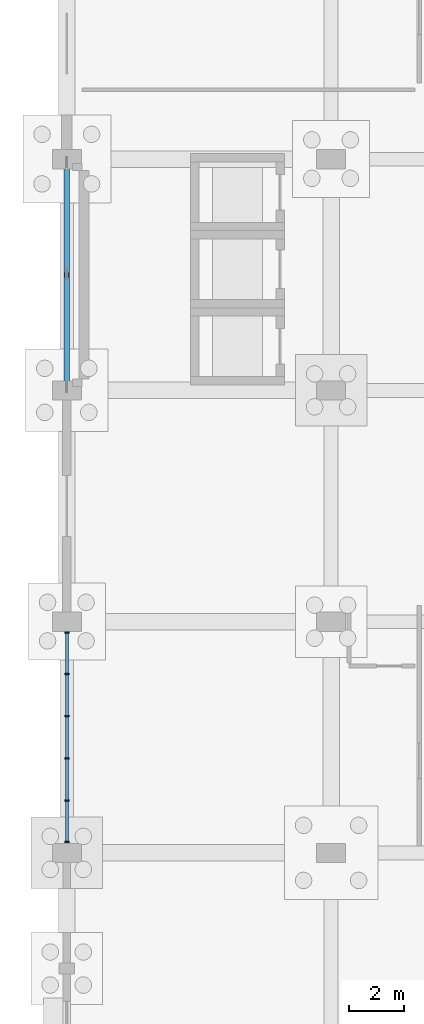
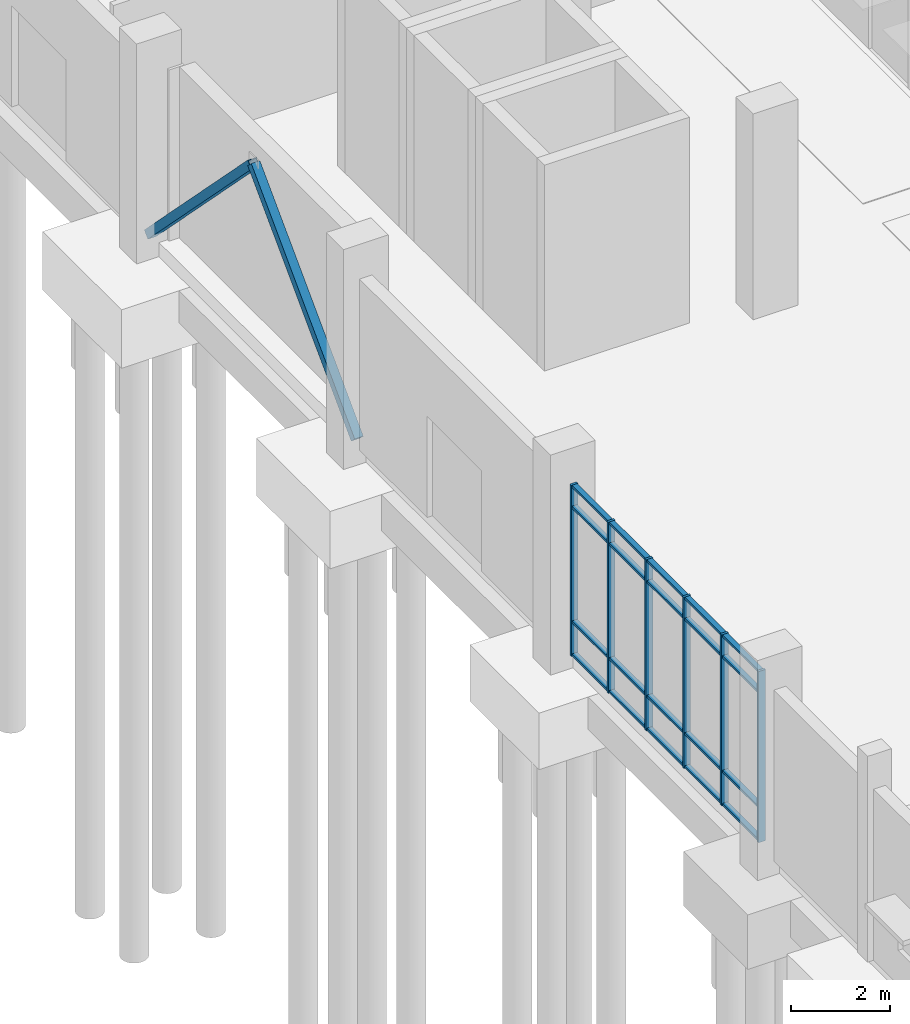
# One storey, part 29 of 136: 28 members, 1 element without a shape of its own.
"""IFC4 building model written with IfcOpenShell, lengths in metres."""

import ifcopenshell
import ifcopenshell.guid

model = None  # the IFC model being written
_history = None  # IfcOwnerHistory: only IFC2X3 demands one
_inside = {}  # id of a spatial element -> (the spatial element, [elements in it])
_under = {}  # id of a project, library or spatial element -> (it, [spatial elements below it])
_declared = {}  # id of a project -> (the project, [libraries it declares])
_typed = {}  # id of a type object -> (the type object, [elements of that type])
_made_of = {}  # id of a material, layer set ... -> (it, [elements and type objects made of it])


def new_model(schema):
    """Start an empty IFC model of exactly this schema.

    Asked for "IFC4X3", IfcOpenShell would pick the latest addendum, in which some entities
    have other attributes; the version numbers below select the first issue.
    IFC2X3 requires an IfcOwnerHistory on every rooted entity: one is made here for all.
    """
    global model, _history
    if schema == "IFC4X3":
        model = ifcopenshell.file(schema_version=(4, 3, 0, 0))
    else:
        model = ifcopenshell.file(schema=schema)
    _inside.clear()
    _under.clear()
    _declared.clear()
    _typed.clear()
    _made_of.clear()
    _history = None
    if model.schema == "IFC2X3":
        org = make("IfcOrganization", Name="unknown")
        user = make(
            "IfcPersonAndOrganization",
            ThePerson=make("IfcPerson", FamilyName="unknown"),
            TheOrganization=org,
        )
        app = make(
            "IfcApplication",
            ApplicationDeveloper=org,
            Version="unknown",
            ApplicationFullName="unknown",
            ApplicationIdentifier="unknown",
        )
        _history = make(
            "IfcOwnerHistory",
            OwningUser=user,
            OwningApplication=app,
            ChangeAction="ADDED",
            CreationDate=0,
        )
    return model


def make(cls, **values):
    """One entity of the class cls with the attributes given. An attribute that is None is left unset."""
    return model.create_entity(
        cls, **{name: value for name, value in values.items() if value is not None}
    )


def rooted(cls, **values):
    """An entity with a GlobalId (a new one), such as an element, a storey or a relation."""
    return make(cls, GlobalId=ifcopenshell.guid.new(), OwnerHistory=_history, **values)


def si_unit(unit_type, name, prefix=None):
    """IfcSIUnit, for example si_unit("LENGTHUNIT", "METRE", prefix="MILLI")."""
    return make("IfcSIUnit", UnitType=unit_type, Prefix=prefix, Name=name)


def assignment(units):
    """IfcUnitAssignment: the units of a project."""
    return None if units is None else make("IfcUnitAssignment", Units=units)


def point(xyz):
    """IfcCartesianPoint."""
    return None if xyz is None else make("IfcCartesianPoint", Coordinates=xyz)


def direction(xyz):
    """IfcDirection."""
    return None if xyz is None else make("IfcDirection", DirectionRatios=xyz)


def frame(location, z_axis=None, x_axis=None):
    """IfcAxis2Placement3D, a coordinate frame: its origin and axes. An axis left out is left unset."""
    return make(
        "IfcAxis2Placement3D",
        Location=point(location),
        Axis=direction(z_axis),
        RefDirection=direction(x_axis),
    )


def frame_2d(location, x_axis=None):
    """IfcAxis2Placement2D, a coordinate frame in the plane: its origin and x axis."""
    return make(
        "IfcAxis2Placement2D", Location=point(location), RefDirection=direction(x_axis)
    )


def origin():
    """The frame at (0, 0, 0) with its axes left unset."""
    return frame((0.0, 0.0, 0.0))


def origin_2d():
    """The frame at (0, 0) in the plane with its x axis left unset."""
    return frame_2d((0.0, 0.0))


def place(relative_to, where):
    """IfcLocalPlacement: puts the frame where relative to a parent placement (None: the world)."""
    return make(
        "IfcLocalPlacement", PlacementRelTo=relative_to, RelativePlacement=where
    )


def context(
    kind, dimensions, precision=None, world=None, true_north=None, identifier=None
):
    """IfcGeometricRepresentationContext, for example the 3D "Model" context."""
    return make(
        "IfcGeometricRepresentationContext",
        ContextIdentifier=identifier,
        ContextType=kind,
        CoordinateSpaceDimension=dimensions,
        Precision=precision,
        WorldCoordinateSystem=world,
        TrueNorth=true_north,
    )


def subcontext(parent, identifier, kind, view, scale=None):
    """IfcGeometricRepresentationSubContext, for example "Body" below "Model"."""
    return make(
        "IfcGeometricRepresentationSubContext",
        ContextIdentifier=identifier,
        ContextType=kind,
        ParentContext=parent,
        TargetScale=scale,
        TargetView=view,
    )


def project(units=None, contexts=None):
    """IfcProject with its units and contexts."""
    return rooted(
        "IfcProject",
        Name="project",
        RepresentationContexts=contexts,
        UnitsInContext=assignment(units),
    )


def spatial(cls, under=None, at=None, **own):
    """A site, building, storey or space (cls), placed at a placement, below another one or the project."""
    s = rooted(cls, ObjectPlacement=at, **own)
    if under is not None:
        _under.setdefault(under.id(), (under, []))[1].append(s)
    return s


def profile(cls, at=None, kind="AREA", **sizes):
    """A parametric profile (cls). Its sizes go by their IFC names, for example OverallWidth=200.0."""
    return make(cls, ProfileType=kind, Position=at, **sizes)


def rectangle(**sizes):
    """IfcRectangleProfileDef."""
    return profile("IfcRectangleProfileDef", **sizes)


def hollow_rectangle(**sizes):
    """IfcRectangleHollowProfileDef."""
    return profile("IfcRectangleHollowProfileDef", **sizes)


def extrude(swept, where, along, depth):
    """IfcExtrudedAreaSolid: the profile swept, set in the frame where, extruded along a direction by depth."""
    return make(
        "IfcExtrudedAreaSolid",
        SweptArea=swept,
        Position=where,
        ExtrudedDirection=direction(along),
        Depth=depth,
    )


def shape(context_of_items, identifier, shape_type, items):
    """IfcShapeRepresentation: the items that make up one representation, for example the "Body"."""
    return make(
        "IfcShapeRepresentation",
        ContextOfItems=context_of_items,
        RepresentationIdentifier=identifier,
        RepresentationType=shape_type,
        Items=items,
    )


def material(Name=None, Category=None):
    """IfcMaterial."""
    return make("IfcMaterial", Name=Name, Category=Category)


def material_profile(
    of_material, cross_section, Name=None, Category=None, Priority=None
):
    """IfcMaterialProfile: a cross section and its material."""
    return make(
        "IfcMaterialProfile",
        Name=Name,
        Material=of_material,
        Profile=cross_section,
        Priority=Priority,
        Category=Category,
    )


def profile_set(profiles, Name=None, composite=None):
    """IfcMaterialProfileSet."""
    return make(
        "IfcMaterialProfileSet",
        Name=Name,
        MaterialProfiles=profiles,
        CompositeProfile=composite,
    )


def made_of(thing, what):
    """Note that an element or type object is made of a material, layer set ...; save() writes the relation."""
    if what is not None:
        _made_of.setdefault(what.id(), (what, []))[1].append(thing)
    return thing


def type_object(cls, material=None, **own):
    """A type object (cls), such as IfcWallType, which elements share."""
    return made_of(rooted(cls, **own), material)


def element(
    cls,
    number,
    at=None,
    inside=None,
    cuts=None,
    type_object=None,
    material=None,
    context=None,
    identifier="Body",
    shape_type=None,
    held_by="IfcProductDefinitionShape",
    body=None,
    shapes=None,
    **own,
):
    """One element of the class cls, such as IfcWall. Its Tag is "e" and its number.

    at: its placement. inside: the storey or other place that contains it. cuts: it is an
    opening in that element (IfcRelVoidsElement). A single representation is given by context,
    identifier, shape_type and body (its items); several are given by shapes. held_by: the class
    of the entity that holds the representations. save() writes the other relations.
    """
    e = rooted(cls, Tag="e%d" % number, ObjectPlacement=at, **own)
    if body is not None:
        shapes = [shape(context, identifier, shape_type, body)]
    if shapes is not None:
        e.Representation = make(held_by, Representations=shapes)
    if inside is not None:
        _inside.setdefault(inside.id(), (inside, []))[1].append(e)
    if cuts is not None:
        rooted(
            "IfcRelVoidsElement", RelatingBuildingElement=cuts, RelatedOpeningElement=e
        )
    if type_object is not None:
        _typed.setdefault(type_object.id(), (type_object, []))[1].append(e)
    return made_of(e, material)


def aggregate(whole, parts):
    """IfcRelAggregates: a whole, such as a stair, and the parts it consists of."""
    return rooted("IfcRelAggregates", RelatingObject=whole, RelatedObjects=parts)


def save(model, path):
    """Write the relations noted so far, then the file.

    IfcRelAggregates (storeys below a building ...), IfcRelContainedInSpatialStructure (elements
    in a storey), IfcRelDefinesByType, IfcRelAssociatesMaterial and IfcRelDeclares: one each for
    every whole, place, type object, material and project.
    """
    for whole, parts in _under.values():
        aggregate(whole, parts)
    for where, things in _inside.values():
        rooted(
            "IfcRelContainedInSpatialStructure",
            RelatedElements=things,
            RelatingStructure=where,
        )
    for kind, things in _typed.values():
        rooted("IfcRelDefinesByType", RelatedObjects=things, RelatingType=kind)
    for what, things in _made_of.values():
        rooted("IfcRelAssociatesMaterial", RelatedObjects=things, RelatingMaterial=what)
    for by, libraries in _declared.values():
        rooted("IfcRelDeclares", RelatingContext=by, RelatedDefinitions=libraries)
    model.write(path)


model = new_model("IFC4")

# Units and contexts
model_context = context("Model", 3, precision=1e-05, world=origin(), true_north=direction((0.0, 1.0)))
body_context = subcontext(model_context, "Body", "Model", "MODEL_VIEW")
ifc_project = project(units=[si_unit("LENGTHUNIT", "METRE"), si_unit("AREAUNIT", "SQUARE_METRE"), si_unit("VOLUMEUNIT", "CUBIC_METRE"), si_unit("PLANEANGLEUNIT", "RADIAN"), si_unit("MASSUNIT", "GRAM", prefix="KILO")], contexts=[model_context])

# Site, building, storey
site_placement = place(None, origin())
site = spatial("IfcSite", under=ifc_project, at=site_placement, CompositionType="ELEMENT")
building_placement = place(site_placement, origin())
building = spatial("IfcBuilding", under=site, at=building_placement, Name="Oolite Switchyard Hospital", CompositionType="ELEMENT")
storey_placement = place(building_placement, origin())
storey = spatial("IfcBuildingStorey", under=building, at=storey_placement, Name="L00", CompositionType="ELEMENT", Elevation=0.0)

# Curtain wall, members
ifc_material_1 = material(Name="Thermally broken aluminum frame with laminated impact glazing", Category="aluminium")
curtain_wall_type = type_object("IfcCurtainWallType", Name="CW-UNIT-84X51", PredefinedType="USERDEFINED", material=ifc_material_1)
curtain_wall_placement = place(storey_placement, origin())
curtain_wall = element("IfcCurtainWall", 1, at=curtain_wall_placement, inside=storey, type_object=curtain_wall_type, Name="L00 Unitised Curtain Wall 54", ObjectType="UNITISED", PredefinedType="USERDEFINED")
ifc_material_2 = material(Name="Aluminium 6063-T6", Category="aluminium")
ifc_material_profile_1 = material_profile(ifc_material_2, rectangle(XDim=0.159912109375, YDim=0.06005859375, at=origin_2d()), Name="CWM60X160")
ifc_profile_set_1 = profile_set([ifc_material_profile_1], Name="Aluminium 6063-T6")
member_type_1 = type_object("IfcMemberType", Name="CW-MUL-180", PredefinedType="MULLION", material=ifc_profile_set_1)
member_1_placement = place(storey_placement, frame((0.0, 33.9951171875, 0.0), z_axis=(0.0, 0.0, 1.0), x_axis=(-1.0, 0.0, 0.0)))
member_1 = element("IfcMember", 2, at=member_1_placement, type_object=member_type_1, Name="CW-06 mullion 1", PredefinedType="MULLION", context=body_context, shape_type="SweptSolid", body=[
    extrude(rectangle(XDim=0.159912109375, YDim=0.06005859375, at=origin_2d()), origin(), (0.0, 0.0, 1.0), 4.239990234375),
])
member_2_placement = place(storey_placement, frame((0.0, 35.4990234375, 0.0), z_axis=(0.0, 0.0, 1.0), x_axis=(-1.0, 0.0, 0.0)))
member_2 = element("IfcMember", 3, at=member_2_placement, type_object=member_type_1, Name="CW-06 mullion 2", PredefinedType="MULLION", context=body_context, shape_type="SweptSolid", body=[
    extrude(rectangle(XDim=0.159912109375, YDim=0.06005859375, at=origin_2d()), origin(), (0.0, 0.0, 1.0), 4.239990234375),
])
member_3_placement = place(storey_placement, frame((0.0, 37.032958984375, 0.0), z_axis=(0.0, 0.0, 1.0), x_axis=(-1.0, 0.0, 0.0)))
member_3 = element("IfcMember", 4, at=member_3_placement, type_object=member_type_1, Name="CW-06 mullion 3", PredefinedType="MULLION", context=body_context, shape_type="SweptSolid", body=[
    extrude(rectangle(XDim=0.159912109375, YDim=0.06005859375, at=origin_2d()), origin(), (0.0, 0.0, 1.0), 4.239990234375),
])
member_4_placement = place(storey_placement, frame((0.0, 38.56689453125, 0.0), z_axis=(0.0, 0.0, 1.0), x_axis=(-1.0, 0.0, 0.0)))
member_4 = element("IfcMember", 5, at=member_4_placement, type_object=member_type_1, Name="CW-06 mullion 4", PredefinedType="MULLION", context=body_context, shape_type="SweptSolid", body=[
    extrude(rectangle(XDim=0.159912109375, YDim=0.06005859375, at=origin_2d()), origin(), (0.0, 0.0, 1.0), 4.239990234375),
])
member_5_placement = place(storey_placement, frame((0.0, 40.10107421875, 0.0), z_axis=(0.0, 0.0, 1.0), x_axis=(-1.0, 0.0, 0.0)))
member_5 = element("IfcMember", 6, at=member_5_placement, type_object=member_type_1, Name="CW-06 mullion 5", PredefinedType="MULLION", context=body_context, shape_type="SweptSolid", body=[
    extrude(rectangle(XDim=0.159912109375, YDim=0.06005859375, at=origin_2d()), origin(), (0.0, 0.0, 1.0), 4.239990234375),
])
member_6_placement = place(storey_placement, frame((0.0, 41.60498046875, 0.0), z_axis=(0.0, 0.0, 1.0), x_axis=(-1.0, 0.0, 0.0)))
member_6 = element("IfcMember", 7, at=member_6_placement, type_object=member_type_1, Name="CW-06 mullion 6", PredefinedType="MULLION", context=body_context, shape_type="SweptSolid", body=[
    extrude(rectangle(XDim=0.159912109375, YDim=0.06005859375, at=origin_2d()), origin(), (0.0, 0.0, 1.0), 4.239990234375),
])
ifc_material_profile_2 = material_profile(ifc_material_2, rectangle(XDim=0.1201171875, YDim=0.06005859375, at=origin_2d()), Name="CWT60X120")
ifc_profile_set_2 = profile_set([ifc_material_profile_2], Name="Aluminium 6063-T6")
member_type_2 = type_object("IfcMemberType", Name="CW-TRN-150", PredefinedType="USERDEFINED", material=ifc_profile_set_2)
member_7_placement = place(storey_placement, frame((0.0, 34.02490234375, 0.030029296875), z_axis=(0.0, 1.0, 0.0), x_axis=(-1.0, 0.0, 0.0)))
member_7 = element("IfcMember", 8, at=member_7_placement, type_object=member_type_2, Name="CW-06 transom 1.1", ObjectType="TRANSOM", PredefinedType="USERDEFINED", context=body_context, shape_type="SweptSolid", body=[
    extrude(rectangle(XDim=0.1201171875, YDim=0.06005859375, at=origin_2d()), origin(), (0.0, 0.0, 1.0), 1.444091796875),
])
member_8_placement = place(storey_placement, frame((0.0, 34.02490234375, 0.85009765625), z_axis=(0.0, 1.0, 0.0), x_axis=(-1.0, 0.0, 0.0)))
member_8 = element("IfcMember", 9, at=member_8_placement, type_object=member_type_2, Name="CW-06 transom 1.2", ObjectType="TRANSOM", PredefinedType="USERDEFINED", context=body_context, shape_type="SweptSolid", body=[
    extrude(rectangle(XDim=0.1201171875, YDim=0.06005859375, at=origin_2d()), origin(), (0.0, 0.0, 1.0), 1.444091796875),
])
member_9_placement = place(storey_placement, frame((0.0, 34.02490234375, 3.68994140625), z_axis=(0.0, 1.0, 0.0), x_axis=(-1.0, 0.0, 0.0)))
member_9 = element("IfcMember", 10, at=member_9_placement, type_object=member_type_2, Name="CW-06 transom 1.3", ObjectType="TRANSOM", PredefinedType="USERDEFINED", context=body_context, shape_type="SweptSolid", body=[
    extrude(rectangle(XDim=0.1201171875, YDim=0.06005859375, at=origin_2d()), origin(), (0.0, 0.0, 1.0), 1.444091796875),
])
member_10_placement = place(storey_placement, frame((0.0, 34.02490234375, 4.2099609375), z_axis=(0.0, 1.0, 0.0), x_axis=(-1.0, 0.0, 0.0)))
member_10 = element("IfcMember", 11, at=member_10_placement, type_object=member_type_2, Name="CW-06 transom 1.4", ObjectType="TRANSOM", PredefinedType="USERDEFINED", context=body_context, shape_type="SweptSolid", body=[
    extrude(rectangle(XDim=0.1201171875, YDim=0.06005859375, at=origin_2d()), origin(), (0.0, 0.0, 1.0), 1.444091796875),
])
member_11_placement = place(storey_placement, frame((0.0, 35.529052734375, 0.030029296875), z_axis=(0.0, 1.0, 0.0), x_axis=(-1.0, 0.0, 0.0)))
member_11 = element("IfcMember", 12, at=member_11_placement, type_object=member_type_2, Name="CW-06 transom 2.1", ObjectType="TRANSOM", PredefinedType="USERDEFINED", context=body_context, shape_type="SweptSolid", body=[
    extrude(rectangle(XDim=0.1201171875, YDim=0.06005859375, at=origin_2d()), origin(), (0.0, 0.0, 1.0), 1.473876953125),
])
member_12_placement = place(storey_placement, frame((0.0, 35.529052734375, 0.85009765625), z_axis=(0.0, 1.0, 0.0), x_axis=(-1.0, 0.0, 0.0)))
member_12 = element("IfcMember", 13, at=member_12_placement, type_object=member_type_2, Name="CW-06 transom 2.2", ObjectType="TRANSOM", PredefinedType="USERDEFINED", context=body_context, shape_type="SweptSolid", body=[
    extrude(rectangle(XDim=0.1201171875, YDim=0.06005859375, at=origin_2d()), origin(), (0.0, 0.0, 1.0), 1.473876953125),
])
member_13_placement = place(storey_placement, frame((0.0, 35.529052734375, 3.68994140625), z_axis=(0.0, 1.0, 0.0), x_axis=(-1.0, 0.0, 0.0)))
member_13 = element("IfcMember", 14, at=member_13_placement, type_object=member_type_2, Name="CW-06 transom 2.3", ObjectType="TRANSOM", PredefinedType="USERDEFINED", context=body_context, shape_type="SweptSolid", body=[
    extrude(rectangle(XDim=0.1201171875, YDim=0.06005859375, at=origin_2d()), origin(), (0.0, 0.0, 1.0), 1.473876953125),
])
member_14_placement = place(storey_placement, frame((0.0, 35.529052734375, 4.2099609375), z_axis=(0.0, 1.0, 0.0), x_axis=(-1.0, 0.0, 0.0)))
member_14 = element("IfcMember", 15, at=member_14_placement, type_object=member_type_2, Name="CW-06 transom 2.4", ObjectType="TRANSOM", PredefinedType="USERDEFINED", context=body_context, shape_type="SweptSolid", body=[
    extrude(rectangle(XDim=0.1201171875, YDim=0.06005859375, at=origin_2d()), origin(), (0.0, 0.0, 1.0), 1.473876953125),
])
member_15_placement = place(storey_placement, frame((0.0, 37.06298828125, 0.030029296875), z_axis=(0.0, 1.0, 0.0), x_axis=(-1.0, 0.0, 0.0)))
member_15 = element("IfcMember", 16, at=member_15_placement, type_object=member_type_2, Name="CW-06 transom 3.1", ObjectType="TRANSOM", PredefinedType="USERDEFINED", context=body_context, shape_type="SweptSolid", body=[
    extrude(rectangle(XDim=0.1201171875, YDim=0.06005859375, at=origin_2d()), origin(), (0.0, 0.0, 1.0), 1.47412109375),
])
member_16_placement = place(storey_placement, frame((0.0, 37.06298828125, 0.85009765625), z_axis=(0.0, 1.0, 0.0), x_axis=(-1.0, 0.0, 0.0)))
member_16 = element("IfcMember", 17, at=member_16_placement, type_object=member_type_2, Name="CW-06 transom 3.2", ObjectType="TRANSOM", PredefinedType="USERDEFINED", context=body_context, shape_type="SweptSolid", body=[
    extrude(rectangle(XDim=0.1201171875, YDim=0.06005859375, at=origin_2d()), origin(), (0.0, 0.0, 1.0), 1.47412109375),
])
member_17_placement = place(storey_placement, frame((0.0, 37.06298828125, 3.68994140625), z_axis=(0.0, 1.0, 0.0), x_axis=(-1.0, 0.0, 0.0)))
member_17 = element("IfcMember", 18, at=member_17_placement, type_object=member_type_2, Name="CW-06 transom 3.3", ObjectType="TRANSOM", PredefinedType="USERDEFINED", context=body_context, shape_type="SweptSolid", body=[
    extrude(rectangle(XDim=0.1201171875, YDim=0.06005859375, at=origin_2d()), origin(), (0.0, 0.0, 1.0), 1.47412109375),
])
member_18_placement = place(storey_placement, frame((0.0, 37.06298828125, 4.2099609375), z_axis=(0.0, 1.0, 0.0), x_axis=(-1.0, 0.0, 0.0)))
member_18 = element("IfcMember", 19, at=member_18_placement, type_object=member_type_2, Name="CW-06 transom 3.4", ObjectType="TRANSOM", PredefinedType="USERDEFINED", context=body_context, shape_type="SweptSolid", body=[
    extrude(rectangle(XDim=0.1201171875, YDim=0.06005859375, at=origin_2d()), origin(), (0.0, 0.0, 1.0), 1.47412109375),
])
member_19_placement = place(storey_placement, frame((0.0, 38.596923828125, 0.030029296875), z_axis=(0.0, 1.0, 0.0), x_axis=(-1.0, 0.0, 0.0)))
member_19 = element("IfcMember", 20, at=member_19_placement, type_object=member_type_2, Name="CW-06 transom 4.1", ObjectType="TRANSOM", PredefinedType="USERDEFINED", context=body_context, shape_type="SweptSolid", body=[
    extrude(rectangle(XDim=0.1201171875, YDim=0.06005859375, at=origin_2d()), origin(), (0.0, 0.0, 1.0), 1.47412109375),
])
member_20_placement = place(storey_placement, frame((0.0, 38.596923828125, 0.85009765625), z_axis=(0.0, 1.0, 0.0), x_axis=(-1.0, 0.0, 0.0)))
member_20 = element("IfcMember", 21, at=member_20_placement, type_object=member_type_2, Name="CW-06 transom 4.2", ObjectType="TRANSOM", PredefinedType="USERDEFINED", context=body_context, shape_type="SweptSolid", body=[
    extrude(rectangle(XDim=0.1201171875, YDim=0.06005859375, at=origin_2d()), origin(), (0.0, 0.0, 1.0), 1.47412109375),
])
member_21_placement = place(storey_placement, frame((0.0, 38.596923828125, 3.68994140625), z_axis=(0.0, 1.0, 0.0), x_axis=(-1.0, 0.0, 0.0)))
member_21 = element("IfcMember", 22, at=member_21_placement, type_object=member_type_2, Name="CW-06 transom 4.3", ObjectType="TRANSOM", PredefinedType="USERDEFINED", context=body_context, shape_type="SweptSolid", body=[
    extrude(rectangle(XDim=0.1201171875, YDim=0.06005859375, at=origin_2d()), origin(), (0.0, 0.0, 1.0), 1.47412109375),
])
member_22_placement = place(storey_placement, frame((0.0, 38.596923828125, 4.2099609375), z_axis=(0.0, 1.0, 0.0), x_axis=(-1.0, 0.0, 0.0)))
member_22 = element("IfcMember", 23, at=member_22_placement, type_object=member_type_2, Name="CW-06 transom 4.4", ObjectType="TRANSOM", PredefinedType="USERDEFINED", context=body_context, shape_type="SweptSolid", body=[
    extrude(rectangle(XDim=0.1201171875, YDim=0.06005859375, at=origin_2d()), origin(), (0.0, 0.0, 1.0), 1.47412109375),
])
member_23_placement = place(storey_placement, frame((0.0, 40.131103515625, 0.030029296875), z_axis=(0.0, 1.0, 0.0), x_axis=(-1.0, 0.0, 0.0)))
member_23 = element("IfcMember", 24, at=member_23_placement, type_object=member_type_2, Name="CW-06 transom 5.1", ObjectType="TRANSOM", PredefinedType="USERDEFINED", context=body_context, shape_type="SweptSolid", body=[
    extrude(rectangle(XDim=0.1201171875, YDim=0.06005859375, at=origin_2d()), origin(), (0.0, 0.0, 1.0), 1.44384765625),
])
member_24_placement = place(storey_placement, frame((0.0, 40.131103515625, 0.85009765625), z_axis=(0.0, 1.0, 0.0), x_axis=(-1.0, 0.0, 0.0)))
member_24 = element("IfcMember", 25, at=member_24_placement, type_object=member_type_2, Name="CW-06 transom 5.2", ObjectType="TRANSOM", PredefinedType="USERDEFINED", context=body_context, shape_type="SweptSolid", body=[
    extrude(rectangle(XDim=0.1201171875, YDim=0.06005859375, at=origin_2d()), origin(), (0.0, 0.0, 1.0), 1.44384765625),
])
member_25_placement = place(storey_placement, frame((0.0, 40.131103515625, 3.68994140625), z_axis=(0.0, 1.0, 0.0), x_axis=(-1.0, 0.0, 0.0)))
member_25 = element("IfcMember", 26, at=member_25_placement, type_object=member_type_2, Name="CW-06 transom 5.3", ObjectType="TRANSOM", PredefinedType="USERDEFINED", context=body_context, shape_type="SweptSolid", body=[
    extrude(rectangle(XDim=0.1201171875, YDim=0.06005859375, at=origin_2d()), origin(), (0.0, 0.0, 1.0), 1.44384765625),
])
member_26_placement = place(storey_placement, frame((0.0, 40.131103515625, 4.2099609375), z_axis=(0.0, 1.0, 0.0), x_axis=(-1.0, 0.0, 0.0)))
member_26 = element("IfcMember", 27, at=member_26_placement, type_object=member_type_2, Name="CW-06 transom 5.4", ObjectType="TRANSOM", PredefinedType="USERDEFINED", context=body_context, shape_type="SweptSolid", body=[
    extrude(rectangle(XDim=0.1201171875, YDim=0.06005859375, at=origin_2d()), origin(), (0.0, 0.0, 1.0), 1.44384765625),
])
aggregate(curtain_wall, [member_1, member_2, member_3, member_4, member_5, member_6, member_7, member_8, member_9, member_10, member_11, member_12, member_13, member_14, member_15, member_16, member_17, member_18, member_19, member_20, member_21, member_22, member_23, member_24, member_25, member_26])

# Members
ifc_material_3 = material(Name="Steel ASTM A500 Grade C", Category="steel")
ifc_material_profile_3 = material_profile(ifc_material_3, hollow_rectangle(XDim=0.202880859375, YDim=0.202880859375, WallThickness=0.012939453125, at=origin_2d()), Name="HSS203X203X13")
ifc_profile_set_3 = profile_set([ifc_material_profile_3], Name="Steel ASTM A500 Grade C")
member_type_3 = type_object("IfcMemberType", Name="MEM-BR-HSS203", PredefinedType="BRACE", material=ifc_profile_set_3)
for number, where, z_axis, x_axis, name in (
    (28, (0.0, 50.39990234375, 0.02001953125), (0.0, 0.700418945107, 0.713731953422), (-1.0, 0.0, 0.0), "L00 Chevron Brace 1"),
    (29, (0.0, 58.800048828125, 0.02001953125), (0.0, -0.700398204698, 0.713752306375), (1.0, 0.0, 0.0), "L00 Chevron Brace 2"),
):
    element("IfcMember", number, at=place(storey_placement, frame(where, z_axis=z_axis, x_axis=x_axis)), inside=storey, type_object=member_type_3, Name=name, PredefinedType="BRACE", context=body_context, shape_type="SweptSolid", body=[
        extrude(hollow_rectangle(XDim=0.202880859375, YDim=0.202880859375, WallThickness=0.012939453125, at=origin_2d()), origin(), (0.0, 0.0, 1.0), 5.99658203125),
    ])

save(model, "model.ifc")
